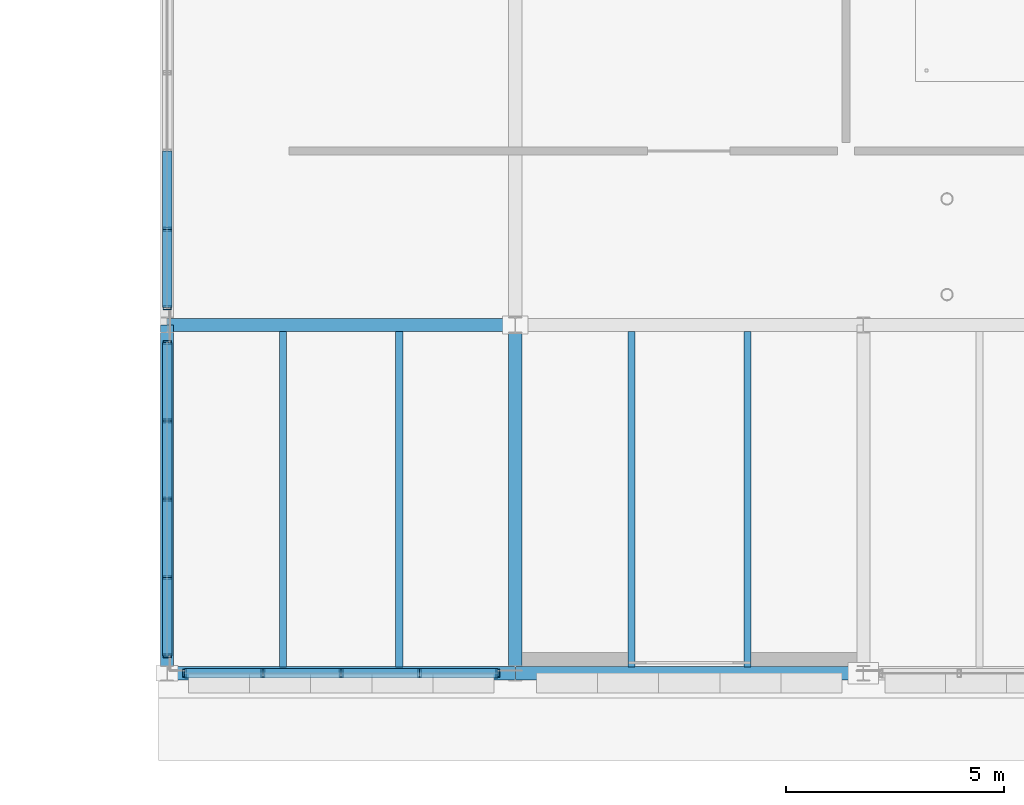
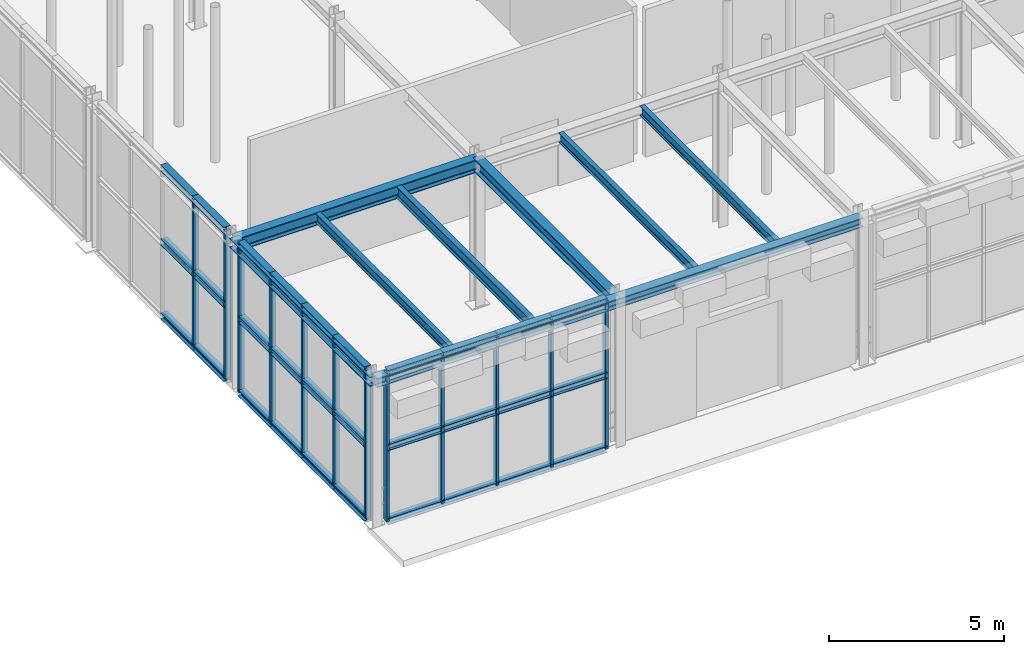
# One storey, part 25 of 129: 42 members, 9 beams, 3 elements without a shape of their own.
"""IFC4 building model written with IfcOpenShell, lengths in metres."""

from ifc_helpers import new_model, si_unit, direction, frame, origin, origin_2d, place, context, subcontext, project, spatial, hollow_rectangle, i_section, extrude, material, material_profile, profile_set, type_object, element, aggregate, save


model = new_model("IFC4")

# Units and contexts
model_context = context("Model", 3, precision=1e-05, world=origin(), true_north=direction((0.0, 1.0)))
body_context = subcontext(model_context, "Body", "Model", "MODEL_VIEW")
ifc_project = project(units=[si_unit("LENGTHUNIT", "METRE"), si_unit("AREAUNIT", "SQUARE_METRE"), si_unit("VOLUMEUNIT", "CUBIC_METRE"), si_unit("PLANEANGLEUNIT", "RADIAN"), si_unit("MASSUNIT", "GRAM", prefix="KILO")], contexts=[model_context])

# Site, building, storey
site_placement = place(None, origin())
site = spatial("IfcSite", under=ifc_project, at=site_placement, CompositionType="ELEMENT")
building_placement = place(site_placement, origin())
building = spatial("IfcBuilding", under=site, at=building_placement, Name="Sundkrona Museum", CompositionType="ELEMENT")
storey_placement = place(building_placement, origin())
storey = spatial("IfcBuildingStorey", under=building, at=storey_placement, Name="L00", CompositionType="ELEMENT", Elevation=0.0)

# Beams
ifc_material_1 = material(Name="Steel S355J2", Category="steel")
ifc_material_profile_1 = material_profile(ifc_material_1, i_section(OverallWidth=0.300048828125, OverallDepth=0.43994140625, WebThickness=0.011474609375, FlangeThickness=0.02099609375, FilletRadius=0.027099609375, at=origin_2d()), Name="HEA 450")
ifc_profile_set_1 = profile_set([ifc_material_profile_1], Name="Steel S355J2")
beam_type_1 = type_object("IfcBeamType", Name="B-HEA450", PredefinedType="BEAM", material=ifc_profile_set_1)
for number, where, z_axis, x_axis, name in (
    (1, (80.0, 8.0, 4.919921875), (1.0, 0.0, 0.0), (0.0, 1.0, 0.0), "L00 Girder X-0434"),
    (2, (88.0, 0.0, 4.919921875), (0.0, 1.0, 0.0), (-1.0, 0.0, 0.0), "L00 Girder Y-0686"),
):
    element("IfcBeam", number, at=place(storey_placement, frame(where, z_axis=z_axis, x_axis=x_axis)), inside=storey, type_object=beam_type_1, Name=name, PredefinedType="BEAM", context=body_context, shape_type="SweptSolid", body=[
        extrude(i_section(OverallWidth=0.300048828125, OverallDepth=0.43994140625, WebThickness=0.011474609375, FlangeThickness=0.02099609375, FilletRadius=0.027099609375, at=origin_2d()), origin(), (0.0, 0.0, 1.0), 8.0),
    ])
ifc_material_profile_2 = material_profile(ifc_material_1, i_section(OverallWidth=0.159912109375, OverallDepth=0.330078125, WebThickness=0.007568359375, FlangeThickness=0.011474609375, FilletRadius=0.01806640625, at=origin_2d()), Name="IPE 330")
ifc_profile_set_2 = profile_set([ifc_material_profile_2], Name="Steel S355J2")
beam_type_2 = type_object("IfcBeamType", Name="J-IPE330", PredefinedType="JOIST", material=ifc_profile_set_2)
for number, where, z_axis, x_axis, name in (
    (3, (82.666748046875, 0.14404296875, 4.97509765625), (0.0, 1.0, 0.0), (-1.0, 0.0, 0.0), "L00 Composite Joist 0389"),
    (4, (90.666748046875, 0.14404296875, 4.97509765625), (0.0, 1.0, 0.0), (-1.0, 0.0, 0.0), "L00 Composite Joist 0411"),
    (5, (93.333251953125, 0.14404296875, 4.97509765625), (0.0, 1.0, 0.0), (-1.0, 0.0, 0.0), "L00 Composite Joist 0412"),
):
    element("IfcBeam", number, at=place(storey_placement, frame(where, z_axis=z_axis, x_axis=x_axis)), inside=storey, type_object=beam_type_2, Name=name, PredefinedType="JOIST", context=body_context, shape_type="SweptSolid", body=[
        extrude(i_section(OverallWidth=0.159912109375, OverallDepth=0.330078125, WebThickness=0.007568359375, FlangeThickness=0.011474609375, FilletRadius=0.01806640625, at=origin_2d()), origin(), (0.0, 0.0, 1.0), 7.7119140625),
    ])
ifc_material_profile_3 = material_profile(ifc_material_1, i_section(OverallWidth=0.179931640625, OverallDepth=0.39990234375, WebThickness=0.008544921875, FlangeThickness=0.013427734375, FilletRadius=0.02099609375, at=origin_2d()), Name="IPE 400")
ifc_profile_set_3 = profile_set([ifc_material_profile_3], Name="Steel S355J2")
beam_type_3 = type_object("IfcBeamType", Name="J-IPE400", PredefinedType="JOIST", material=ifc_profile_set_3)
beam_placement = place(storey_placement, frame((85.333251953125, 0.14404296875, 4.93994140625), z_axis=(0.0, 1.0, 0.0), x_axis=(-1.0, 0.0, 0.0)))
element("IfcBeam", 6, at=beam_placement, inside=storey, type_object=beam_type_3, Name="L00 Composite Joist 0390", PredefinedType="JOIST", context=body_context, shape_type="SweptSolid", body=[
    extrude(i_section(OverallWidth=0.179931640625, OverallDepth=0.39990234375, WebThickness=0.008544921875, FlangeThickness=0.013427734375, FilletRadius=0.02099609375, at=origin_2d()), origin(), (0.0, 0.0, 1.0), 7.7119140625),
])

# Curtain wall, members
ifc_material_2 = material(Name="Unitised Aluminium-Steel and Ceramic-Clad Curtain Walling", Category="steel")
curtain_wall_type = type_object("IfcCurtainWallType", Name="CW-AT-72x50", PredefinedType="NOTDEFINED", material=ifc_material_2)
curtain_wall_1_placement = place(storey_placement, origin())
curtain_wall_1 = element("IfcCurtainWall", 7, at=curtain_wall_1_placement, inside=storey, type_object=curtain_wall_type, Name="L00 Curtain Wall CW-L00-017", PredefinedType="NOTDEFINED")
ifc_material_3 = material(Name="Aluminium EN AW-6060 T66", Category="aluminium")
ifc_material_profile_4 = material_profile(ifc_material_3, hollow_rectangle(XDim=0.090087890625, YDim=0.179931640625, WallThickness=0.00634765625, at=origin_2d()), Name="RHS 180x90x6.3")
ifc_profile_set_4 = profile_set([ifc_material_profile_4], Name="Aluminium EN AW-6060 T66")
member_type_1 = type_object("IfcMemberType", Name="ML-180", PredefinedType="MULLION", material=ifc_profile_set_4)
member_1_placement = place(storey_placement, frame((80.39990234375, 0.0, -0.00390625), z_axis=(0.0, 0.0, 1.0), x_axis=(1.0, 0.0, 0.0)))
member_1 = element("IfcMember", 8, at=member_1_placement, type_object=member_type_1, Name="CW-L00-017 Mullion 01", PredefinedType="MULLION", context=body_context, shape_type="SweptSolid", body=[
    extrude(hollow_rectangle(XDim=0.090087890625, YDim=0.179931640625, WallThickness=0.00634765625, at=origin_2d()), origin(), (0.0, 0.0, 1.0), 5.14794921875),
])
member_2_placement = place(storey_placement, frame((82.199951171875, 0.0, -0.00390625), z_axis=(0.0, 0.0, 1.0), x_axis=(1.0, 0.0, 0.0)))
member_2 = element("IfcMember", 9, at=member_2_placement, type_object=member_type_1, Name="CW-L00-017 Mullion 02", PredefinedType="MULLION", context=body_context, shape_type="SweptSolid", body=[
    extrude(hollow_rectangle(XDim=0.090087890625, YDim=0.179931640625, WallThickness=0.00634765625, at=origin_2d()), origin(), (0.0, 0.0, 1.0), 5.14794921875),
])
member_3_placement = place(storey_placement, frame((84.0, 0.0, -0.00390625), z_axis=(0.0, 0.0, 1.0), x_axis=(1.0, 0.0, 0.0)))
member_3 = element("IfcMember", 10, at=member_3_placement, type_object=member_type_1, Name="CW-L00-017 Mullion 03", PredefinedType="MULLION", context=body_context, shape_type="SweptSolid", body=[
    extrude(hollow_rectangle(XDim=0.090087890625, YDim=0.179931640625, WallThickness=0.00634765625, at=origin_2d()), origin(), (0.0, 0.0, 1.0), 5.14794921875),
])
member_4_placement = place(storey_placement, frame((85.800048828125, 0.0, -0.00390625), z_axis=(0.0, 0.0, 1.0), x_axis=(1.0, 0.0, 0.0)))
member_4 = element("IfcMember", 11, at=member_4_placement, type_object=member_type_1, Name="CW-L00-017 Mullion 04", PredefinedType="MULLION", context=body_context, shape_type="SweptSolid", body=[
    extrude(hollow_rectangle(XDim=0.090087890625, YDim=0.179931640625, WallThickness=0.00634765625, at=origin_2d()), origin(), (0.0, 0.0, 1.0), 5.14794921875),
])
member_5_placement = place(storey_placement, frame((87.60009765625, 0.0, -0.00390625), z_axis=(0.0, 0.0, 1.0), x_axis=(1.0, 0.0, 0.0)))
member_5 = element("IfcMember", 12, at=member_5_placement, type_object=member_type_1, Name="CW-L00-017 Mullion 05", PredefinedType="MULLION", context=body_context, shape_type="SweptSolid", body=[
    extrude(hollow_rectangle(XDim=0.090087890625, YDim=0.179931640625, WallThickness=0.00634765625, at=origin_2d()), origin(), (0.0, 0.0, 1.0), 5.14794921875),
])

curtain_wall_2_placement = place(storey_placement, origin())
curtain_wall_2 = element("IfcCurtainWall", 13, at=curtain_wall_2_placement, inside=storey, type_object=curtain_wall_type, Name="L00 Curtain Wall CW-L00-020", PredefinedType="NOTDEFINED")
member_6_placement = place(storey_placement, frame((80.0, 0.39990234375, -0.00390625), z_axis=(0.0, 0.0, 1.0), x_axis=(0.0, 1.0, 0.0)))
member_6 = element("IfcMember", 14, at=member_6_placement, type_object=member_type_1, Name="CW-L00-020 Mullion 01", PredefinedType="MULLION", context=body_context, shape_type="SweptSolid", body=[
    extrude(hollow_rectangle(XDim=0.090087890625, YDim=0.179931640625, WallThickness=0.00634765625, at=origin_2d()), origin(), (0.0, 0.0, 1.0), 5.14794921875),
])
member_7_placement = place(storey_placement, frame((80.0, 2.199951171875, -0.00390625), z_axis=(0.0, 0.0, 1.0), x_axis=(0.0, 1.0, 0.0)))
member_7 = element("IfcMember", 15, at=member_7_placement, type_object=member_type_1, Name="CW-L00-020 Mullion 02", PredefinedType="MULLION", context=body_context, shape_type="SweptSolid", body=[
    extrude(hollow_rectangle(XDim=0.090087890625, YDim=0.179931640625, WallThickness=0.00634765625, at=origin_2d()), origin(), (0.0, 0.0, 1.0), 5.14794921875),
])
member_8_placement = place(storey_placement, frame((80.0, 4.0, -0.00390625), z_axis=(0.0, 0.0, 1.0), x_axis=(0.0, 1.0, 0.0)))
member_8 = element("IfcMember", 16, at=member_8_placement, type_object=member_type_1, Name="CW-L00-020 Mullion 03", PredefinedType="MULLION", context=body_context, shape_type="SweptSolid", body=[
    extrude(hollow_rectangle(XDim=0.090087890625, YDim=0.179931640625, WallThickness=0.00634765625, at=origin_2d()), origin(), (0.0, 0.0, 1.0), 5.14794921875),
])
member_9_placement = place(storey_placement, frame((80.0, 5.800048828125, -0.00390625), z_axis=(0.0, 0.0, 1.0), x_axis=(0.0, 1.0, 0.0)))
member_9 = element("IfcMember", 17, at=member_9_placement, type_object=member_type_1, Name="CW-L00-020 Mullion 04", PredefinedType="MULLION", context=body_context, shape_type="SweptSolid", body=[
    extrude(hollow_rectangle(XDim=0.090087890625, YDim=0.179931640625, WallThickness=0.00634765625, at=origin_2d()), origin(), (0.0, 0.0, 1.0), 5.14794921875),
])
member_10_placement = place(storey_placement, frame((80.0, 7.60009765625, -0.00390625), z_axis=(0.0, 0.0, 1.0), x_axis=(0.0, 1.0, 0.0)))
member_10 = element("IfcMember", 18, at=member_10_placement, type_object=member_type_1, Name="CW-L00-020 Mullion 05", PredefinedType="MULLION", context=body_context, shape_type="SweptSolid", body=[
    extrude(hollow_rectangle(XDim=0.090087890625, YDim=0.179931640625, WallThickness=0.00634765625, at=origin_2d()), origin(), (0.0, 0.0, 1.0), 5.14794921875),
])

curtain_wall_3_placement = place(storey_placement, origin())
curtain_wall_3 = element("IfcCurtainWall", 19, at=curtain_wall_3_placement, inside=storey, type_object=curtain_wall_type, Name="L00 Curtain Wall CW-L00-021", PredefinedType="NOTDEFINED")
member_11_placement = place(storey_placement, frame((80.0, 8.39990234375, -0.00390625), z_axis=(0.0, 0.0, 1.0), x_axis=(0.0, 1.0, 0.0)))
member_11 = element("IfcMember", 20, at=member_11_placement, type_object=member_type_1, Name="CW-L00-021 Mullion 01", PredefinedType="MULLION", context=body_context, shape_type="SweptSolid", body=[
    extrude(hollow_rectangle(XDim=0.090087890625, YDim=0.179931640625, WallThickness=0.00634765625, at=origin_2d()), origin(), (0.0, 0.0, 1.0), 5.14794921875),
])
member_12_placement = place(storey_placement, frame((80.0, 10.199951171875, -0.00390625), z_axis=(0.0, 0.0, 1.0), x_axis=(0.0, 1.0, 0.0)))
member_12 = element("IfcMember", 21, at=member_12_placement, type_object=member_type_1, Name="CW-L00-021 Mullion 02", PredefinedType="MULLION", context=body_context, shape_type="SweptSolid", body=[
    extrude(hollow_rectangle(XDim=0.090087890625, YDim=0.179931640625, WallThickness=0.00634765625, at=origin_2d()), origin(), (0.0, 0.0, 1.0), 5.14794921875),
])

# Beams
ifc_material_profile_5 = material_profile(ifc_material_1, i_section(OverallWidth=0.300048828125, OverallDepth=0.320068359375, WebThickness=0.011474609375, FlangeThickness=0.0205078125, FilletRadius=0.027099609375, at=origin_2d()), Name="HEB 320")
ifc_profile_set_5 = profile_set([ifc_material_profile_5], Name="Steel S355J2")
beam_type_4 = type_object("IfcBeamType", Name="SP-HEB320", PredefinedType="SPANDREL", material=ifc_profile_set_5)
for number, where, z_axis, x_axis, name in (
    (22, (80.0, 0.0, 4.97998046875), (1.0, 0.0, 0.0), (0.0, 1.0, 0.0), "L00 Girder X-0423"),
    (23, (88.0, 0.0, 4.97998046875), (1.0, 0.0, 0.0), (0.0, 1.0, 0.0), "L00 Girder X-0424"),
    (24, (80.0, 0.0, 4.97998046875), (0.0, 1.0, 0.0), (-1.0, 0.0, 0.0), "L00 Girder Y-0671"),
):
    element("IfcBeam", number, at=place(storey_placement, frame(where, z_axis=z_axis, x_axis=x_axis)), inside=storey, type_object=beam_type_4, Name=name, PredefinedType="SPANDREL", context=body_context, shape_type="SweptSolid", body=[
        extrude(i_section(OverallWidth=0.300048828125, OverallDepth=0.320068359375, WebThickness=0.011474609375, FlangeThickness=0.0205078125, FilletRadius=0.027099609375, at=origin_2d()), origin(), (0.0, 0.0, 1.0), 8.0),
    ])

# Member
ifc_material_profile_6 = material_profile(ifc_material_1, i_section(OverallWidth=0.219970703125, OverallDepth=0.219970703125, WebThickness=0.009521484375, FlangeThickness=0.01611328125, FilletRadius=0.01806640625, at=origin_2d()), Name="HEB 220")
ifc_profile_set_6 = profile_set([ifc_material_profile_6], Name="Steel S355J2")
member_type_2 = type_object("IfcMemberType", Name="TR-HEB220", PredefinedType="USERDEFINED", material=ifc_profile_set_6)
member_13_placement = place(storey_placement, frame((80.39990234375, 0.0, -0.00390625), z_axis=(1.0, 0.0, 0.0), x_axis=(0.0, 1.0, 0.0)))
member_13 = element("IfcMember", 25, at=member_13_placement, type_object=member_type_2, Name="CW-L00-017 Transom 01", ObjectType="TRANSOM", PredefinedType="USERDEFINED", context=body_context, shape_type="SweptSolid", body=[
    extrude(i_section(OverallWidth=0.219970703125, OverallDepth=0.219970703125, WebThickness=0.009521484375, FlangeThickness=0.01611328125, FilletRadius=0.01806640625, at=origin_2d()), origin(), (0.0, 0.0, 1.0), 1.800048828125),
])

member_14_placement = place(storey_placement, frame((80.39990234375, 0.0, 2.570068359375), z_axis=(1.0, 0.0, 0.0), x_axis=(0.0, 1.0, 0.0)))
member_14 = element("IfcMember", 26, at=member_14_placement, type_object=member_type_2, Name="CW-L00-017 Transom 02", ObjectType="TRANSOM", PredefinedType="USERDEFINED", context=body_context, shape_type="SweptSolid", body=[
    extrude(i_section(OverallWidth=0.219970703125, OverallDepth=0.219970703125, WebThickness=0.009521484375, FlangeThickness=0.01611328125, FilletRadius=0.01806640625, at=origin_2d()), origin(), (0.0, 0.0, 1.0), 1.800048828125),
])

member_15_placement = place(storey_placement, frame((80.39990234375, 0.0, 5.14404296875), z_axis=(1.0, 0.0, 0.0), x_axis=(0.0, 1.0, 0.0)))
member_15 = element("IfcMember", 27, at=member_15_placement, type_object=member_type_2, Name="CW-L00-017 Transom 03", ObjectType="TRANSOM", PredefinedType="USERDEFINED", context=body_context, shape_type="SweptSolid", body=[
    extrude(i_section(OverallWidth=0.219970703125, OverallDepth=0.219970703125, WebThickness=0.009521484375, FlangeThickness=0.01611328125, FilletRadius=0.01806640625, at=origin_2d()), origin(), (0.0, 0.0, 1.0), 1.800048828125),
])

member_16_placement = place(storey_placement, frame((82.199951171875, 0.0, -0.00390625), z_axis=(1.0, 0.0, 0.0), x_axis=(0.0, 1.0, 0.0)))
member_16 = element("IfcMember", 28, at=member_16_placement, type_object=member_type_2, Name="CW-L00-017 Transom 04", ObjectType="TRANSOM", PredefinedType="USERDEFINED", context=body_context, shape_type="SweptSolid", body=[
    extrude(i_section(OverallWidth=0.219970703125, OverallDepth=0.219970703125, WebThickness=0.009521484375, FlangeThickness=0.01611328125, FilletRadius=0.01806640625, at=origin_2d()), origin(), (0.0, 0.0, 1.0), 1.800048828125),
])

member_17_placement = place(storey_placement, frame((82.199951171875, 0.0, 2.570068359375), z_axis=(1.0, 0.0, 0.0), x_axis=(0.0, 1.0, 0.0)))
member_17 = element("IfcMember", 29, at=member_17_placement, type_object=member_type_2, Name="CW-L00-017 Transom 05", ObjectType="TRANSOM", PredefinedType="USERDEFINED", context=body_context, shape_type="SweptSolid", body=[
    extrude(i_section(OverallWidth=0.219970703125, OverallDepth=0.219970703125, WebThickness=0.009521484375, FlangeThickness=0.01611328125, FilletRadius=0.01806640625, at=origin_2d()), origin(), (0.0, 0.0, 1.0), 1.800048828125),
])

member_18_placement = place(storey_placement, frame((82.199951171875, 0.0, 5.14404296875), z_axis=(1.0, 0.0, 0.0), x_axis=(0.0, 1.0, 0.0)))
member_18 = element("IfcMember", 30, at=member_18_placement, type_object=member_type_2, Name="CW-L00-017 Transom 06", ObjectType="TRANSOM", PredefinedType="USERDEFINED", context=body_context, shape_type="SweptSolid", body=[
    extrude(i_section(OverallWidth=0.219970703125, OverallDepth=0.219970703125, WebThickness=0.009521484375, FlangeThickness=0.01611328125, FilletRadius=0.01806640625, at=origin_2d()), origin(), (0.0, 0.0, 1.0), 1.800048828125),
])

member_19_placement = place(storey_placement, frame((84.0, 0.0, -0.00390625), z_axis=(1.0, 0.0, 0.0), x_axis=(0.0, 1.0, 0.0)))
member_19 = element("IfcMember", 31, at=member_19_placement, type_object=member_type_2, Name="CW-L00-017 Transom 07", ObjectType="TRANSOM", PredefinedType="USERDEFINED", context=body_context, shape_type="SweptSolid", body=[
    extrude(i_section(OverallWidth=0.219970703125, OverallDepth=0.219970703125, WebThickness=0.009521484375, FlangeThickness=0.01611328125, FilletRadius=0.01806640625, at=origin_2d()), origin(), (0.0, 0.0, 1.0), 1.800048828125),
])

member_20_placement = place(storey_placement, frame((84.0, 0.0, 2.570068359375), z_axis=(1.0, 0.0, 0.0), x_axis=(0.0, 1.0, 0.0)))
member_20 = element("IfcMember", 32, at=member_20_placement, type_object=member_type_2, Name="CW-L00-017 Transom 08", ObjectType="TRANSOM", PredefinedType="USERDEFINED", context=body_context, shape_type="SweptSolid", body=[
    extrude(i_section(OverallWidth=0.219970703125, OverallDepth=0.219970703125, WebThickness=0.009521484375, FlangeThickness=0.01611328125, FilletRadius=0.01806640625, at=origin_2d()), origin(), (0.0, 0.0, 1.0), 1.800048828125),
])

member_21_placement = place(storey_placement, frame((84.0, 0.0, 5.14404296875), z_axis=(1.0, 0.0, 0.0), x_axis=(0.0, 1.0, 0.0)))
member_21 = element("IfcMember", 33, at=member_21_placement, type_object=member_type_2, Name="CW-L00-017 Transom 09", ObjectType="TRANSOM", PredefinedType="USERDEFINED", context=body_context, shape_type="SweptSolid", body=[
    extrude(i_section(OverallWidth=0.219970703125, OverallDepth=0.219970703125, WebThickness=0.009521484375, FlangeThickness=0.01611328125, FilletRadius=0.01806640625, at=origin_2d()), origin(), (0.0, 0.0, 1.0), 1.800048828125),
])

member_22_placement = place(storey_placement, frame((85.800048828125, 0.0, -0.00390625), z_axis=(1.0, 0.0, 0.0), x_axis=(0.0, 1.0, 0.0)))
member_22 = element("IfcMember", 34, at=member_22_placement, type_object=member_type_2, Name="CW-L00-017 Transom 10", ObjectType="TRANSOM", PredefinedType="USERDEFINED", context=body_context, shape_type="SweptSolid", body=[
    extrude(i_section(OverallWidth=0.219970703125, OverallDepth=0.219970703125, WebThickness=0.009521484375, FlangeThickness=0.01611328125, FilletRadius=0.01806640625, at=origin_2d()), origin(), (0.0, 0.0, 1.0), 1.800048828125),
])

member_23_placement = place(storey_placement, frame((85.800048828125, 0.0, 2.570068359375), z_axis=(1.0, 0.0, 0.0), x_axis=(0.0, 1.0, 0.0)))
member_23 = element("IfcMember", 35, at=member_23_placement, type_object=member_type_2, Name="CW-L00-017 Transom 11", ObjectType="TRANSOM", PredefinedType="USERDEFINED", context=body_context, shape_type="SweptSolid", body=[
    extrude(i_section(OverallWidth=0.219970703125, OverallDepth=0.219970703125, WebThickness=0.009521484375, FlangeThickness=0.01611328125, FilletRadius=0.01806640625, at=origin_2d()), origin(), (0.0, 0.0, 1.0), 1.800048828125),
])

member_24_placement = place(storey_placement, frame((85.800048828125, 0.0, 5.14404296875), z_axis=(1.0, 0.0, 0.0), x_axis=(0.0, 1.0, 0.0)))
member_24 = element("IfcMember", 36, at=member_24_placement, type_object=member_type_2, Name="CW-L00-017 Transom 12", ObjectType="TRANSOM", PredefinedType="USERDEFINED", context=body_context, shape_type="SweptSolid", body=[
    extrude(i_section(OverallWidth=0.219970703125, OverallDepth=0.219970703125, WebThickness=0.009521484375, FlangeThickness=0.01611328125, FilletRadius=0.01806640625, at=origin_2d()), origin(), (0.0, 0.0, 1.0), 1.800048828125),
])

aggregate(curtain_wall_1, [member_1, member_2, member_3, member_4, member_5, member_13, member_14, member_15, member_16, member_17, member_18, member_19, member_20, member_21, member_22, member_23, member_24])

member_25_placement = place(storey_placement, frame((80.0, 0.39990234375, -0.00390625), z_axis=(0.0, 1.0, 0.0), x_axis=(-1.0, 0.0, 0.0)))
member_25 = element("IfcMember", 37, at=member_25_placement, type_object=member_type_2, Name="CW-L00-020 Transom 01", ObjectType="TRANSOM", PredefinedType="USERDEFINED", context=body_context, shape_type="SweptSolid", body=[
    extrude(i_section(OverallWidth=0.219970703125, OverallDepth=0.219970703125, WebThickness=0.009521484375, FlangeThickness=0.01611328125, FilletRadius=0.01806640625, at=origin_2d()), origin(), (0.0, 0.0, 1.0), 1.800048828125),
])

member_26_placement = place(storey_placement, frame((80.0, 0.39990234375, 2.570068359375), z_axis=(0.0, 1.0, 0.0), x_axis=(-1.0, 0.0, 0.0)))
member_26 = element("IfcMember", 38, at=member_26_placement, type_object=member_type_2, Name="CW-L00-020 Transom 02", ObjectType="TRANSOM", PredefinedType="USERDEFINED", context=body_context, shape_type="SweptSolid", body=[
    extrude(i_section(OverallWidth=0.219970703125, OverallDepth=0.219970703125, WebThickness=0.009521484375, FlangeThickness=0.01611328125, FilletRadius=0.01806640625, at=origin_2d()), origin(), (0.0, 0.0, 1.0), 1.800048828125),
])

member_27_placement = place(storey_placement, frame((80.0, 0.39990234375, 5.14404296875), z_axis=(0.0, 1.0, 0.0), x_axis=(-1.0, 0.0, 0.0)))
member_27 = element("IfcMember", 39, at=member_27_placement, type_object=member_type_2, Name="CW-L00-020 Transom 03", ObjectType="TRANSOM", PredefinedType="USERDEFINED", context=body_context, shape_type="SweptSolid", body=[
    extrude(i_section(OverallWidth=0.219970703125, OverallDepth=0.219970703125, WebThickness=0.009521484375, FlangeThickness=0.01611328125, FilletRadius=0.01806640625, at=origin_2d()), origin(), (0.0, 0.0, 1.0), 1.800048828125),
])

member_28_placement = place(storey_placement, frame((80.0, 2.199951171875, -0.00390625), z_axis=(0.0, 1.0, 0.0), x_axis=(-1.0, 0.0, 0.0)))
member_28 = element("IfcMember", 40, at=member_28_placement, type_object=member_type_2, Name="CW-L00-020 Transom 04", ObjectType="TRANSOM", PredefinedType="USERDEFINED", context=body_context, shape_type="SweptSolid", body=[
    extrude(i_section(OverallWidth=0.219970703125, OverallDepth=0.219970703125, WebThickness=0.009521484375, FlangeThickness=0.01611328125, FilletRadius=0.01806640625, at=origin_2d()), origin(), (0.0, 0.0, 1.0), 1.800048828125),
])

member_29_placement = place(storey_placement, frame((80.0, 2.199951171875, 2.570068359375), z_axis=(0.0, 1.0, 0.0), x_axis=(-1.0, 0.0, 0.0)))
member_29 = element("IfcMember", 41, at=member_29_placement, type_object=member_type_2, Name="CW-L00-020 Transom 05", ObjectType="TRANSOM", PredefinedType="USERDEFINED", context=body_context, shape_type="SweptSolid", body=[
    extrude(i_section(OverallWidth=0.219970703125, OverallDepth=0.219970703125, WebThickness=0.009521484375, FlangeThickness=0.01611328125, FilletRadius=0.01806640625, at=origin_2d()), origin(), (0.0, 0.0, 1.0), 1.800048828125),
])

member_30_placement = place(storey_placement, frame((80.0, 2.199951171875, 5.14404296875), z_axis=(0.0, 1.0, 0.0), x_axis=(-1.0, 0.0, 0.0)))
member_30 = element("IfcMember", 42, at=member_30_placement, type_object=member_type_2, Name="CW-L00-020 Transom 06", ObjectType="TRANSOM", PredefinedType="USERDEFINED", context=body_context, shape_type="SweptSolid", body=[
    extrude(i_section(OverallWidth=0.219970703125, OverallDepth=0.219970703125, WebThickness=0.009521484375, FlangeThickness=0.01611328125, FilletRadius=0.01806640625, at=origin_2d()), origin(), (0.0, 0.0, 1.0), 1.800048828125),
])

member_31_placement = place(storey_placement, frame((80.0, 4.0, -0.00390625), z_axis=(0.0, 1.0, 0.0), x_axis=(-1.0, 0.0, 0.0)))
member_31 = element("IfcMember", 43, at=member_31_placement, type_object=member_type_2, Name="CW-L00-020 Transom 07", ObjectType="TRANSOM", PredefinedType="USERDEFINED", context=body_context, shape_type="SweptSolid", body=[
    extrude(i_section(OverallWidth=0.219970703125, OverallDepth=0.219970703125, WebThickness=0.009521484375, FlangeThickness=0.01611328125, FilletRadius=0.01806640625, at=origin_2d()), origin(), (0.0, 0.0, 1.0), 1.800048828125),
])

member_32_placement = place(storey_placement, frame((80.0, 4.0, 2.570068359375), z_axis=(0.0, 1.0, 0.0), x_axis=(-1.0, 0.0, 0.0)))
member_32 = element("IfcMember", 44, at=member_32_placement, type_object=member_type_2, Name="CW-L00-020 Transom 08", ObjectType="TRANSOM", PredefinedType="USERDEFINED", context=body_context, shape_type="SweptSolid", body=[
    extrude(i_section(OverallWidth=0.219970703125, OverallDepth=0.219970703125, WebThickness=0.009521484375, FlangeThickness=0.01611328125, FilletRadius=0.01806640625, at=origin_2d()), origin(), (0.0, 0.0, 1.0), 1.800048828125),
])

member_33_placement = place(storey_placement, frame((80.0, 4.0, 5.14404296875), z_axis=(0.0, 1.0, 0.0), x_axis=(-1.0, 0.0, 0.0)))
member_33 = element("IfcMember", 45, at=member_33_placement, type_object=member_type_2, Name="CW-L00-020 Transom 09", ObjectType="TRANSOM", PredefinedType="USERDEFINED", context=body_context, shape_type="SweptSolid", body=[
    extrude(i_section(OverallWidth=0.219970703125, OverallDepth=0.219970703125, WebThickness=0.009521484375, FlangeThickness=0.01611328125, FilletRadius=0.01806640625, at=origin_2d()), origin(), (0.0, 0.0, 1.0), 1.800048828125),
])

member_34_placement = place(storey_placement, frame((80.0, 5.800048828125, -0.00390625), z_axis=(0.0, 1.0, 0.0), x_axis=(-1.0, 0.0, 0.0)))
member_34 = element("IfcMember", 46, at=member_34_placement, type_object=member_type_2, Name="CW-L00-020 Transom 10", ObjectType="TRANSOM", PredefinedType="USERDEFINED", context=body_context, shape_type="SweptSolid", body=[
    extrude(i_section(OverallWidth=0.219970703125, OverallDepth=0.219970703125, WebThickness=0.009521484375, FlangeThickness=0.01611328125, FilletRadius=0.01806640625, at=origin_2d()), origin(), (0.0, 0.0, 1.0), 1.800048828125),
])

member_35_placement = place(storey_placement, frame((80.0, 5.800048828125, 2.570068359375), z_axis=(0.0, 1.0, 0.0), x_axis=(-1.0, 0.0, 0.0)))
member_35 = element("IfcMember", 47, at=member_35_placement, type_object=member_type_2, Name="CW-L00-020 Transom 11", ObjectType="TRANSOM", PredefinedType="USERDEFINED", context=body_context, shape_type="SweptSolid", body=[
    extrude(i_section(OverallWidth=0.219970703125, OverallDepth=0.219970703125, WebThickness=0.009521484375, FlangeThickness=0.01611328125, FilletRadius=0.01806640625, at=origin_2d()), origin(), (0.0, 0.0, 1.0), 1.800048828125),
])

member_36_placement = place(storey_placement, frame((80.0, 5.800048828125, 5.14404296875), z_axis=(0.0, 1.0, 0.0), x_axis=(-1.0, 0.0, 0.0)))
member_36 = element("IfcMember", 48, at=member_36_placement, type_object=member_type_2, Name="CW-L00-020 Transom 12", ObjectType="TRANSOM", PredefinedType="USERDEFINED", context=body_context, shape_type="SweptSolid", body=[
    extrude(i_section(OverallWidth=0.219970703125, OverallDepth=0.219970703125, WebThickness=0.009521484375, FlangeThickness=0.01611328125, FilletRadius=0.01806640625, at=origin_2d()), origin(), (0.0, 0.0, 1.0), 1.800048828125),
])

aggregate(curtain_wall_2, [member_6, member_7, member_8, member_9, member_10, member_25, member_26, member_27, member_28, member_29, member_30, member_31, member_32, member_33, member_34, member_35, member_36])

member_37_placement = place(storey_placement, frame((80.0, 8.39990234375, -0.00390625), z_axis=(0.0, 1.0, 0.0), x_axis=(-1.0, 0.0, 0.0)))
member_37 = element("IfcMember", 49, at=member_37_placement, type_object=member_type_2, Name="CW-L00-021 Transom 01", ObjectType="TRANSOM", PredefinedType="USERDEFINED", context=body_context, shape_type="SweptSolid", body=[
    extrude(i_section(OverallWidth=0.219970703125, OverallDepth=0.219970703125, WebThickness=0.009521484375, FlangeThickness=0.01611328125, FilletRadius=0.01806640625, at=origin_2d()), origin(), (0.0, 0.0, 1.0), 1.800048828125),
])

member_38_placement = place(storey_placement, frame((80.0, 8.39990234375, 2.570068359375), z_axis=(0.0, 1.0, 0.0), x_axis=(-1.0, 0.0, 0.0)))
member_38 = element("IfcMember", 50, at=member_38_placement, type_object=member_type_2, Name="CW-L00-021 Transom 02", ObjectType="TRANSOM", PredefinedType="USERDEFINED", context=body_context, shape_type="SweptSolid", body=[
    extrude(i_section(OverallWidth=0.219970703125, OverallDepth=0.219970703125, WebThickness=0.009521484375, FlangeThickness=0.01611328125, FilletRadius=0.01806640625, at=origin_2d()), origin(), (0.0, 0.0, 1.0), 1.800048828125),
])

member_39_placement = place(storey_placement, frame((80.0, 8.39990234375, 5.14404296875), z_axis=(0.0, 1.0, 0.0), x_axis=(-1.0, 0.0, 0.0)))
member_39 = element("IfcMember", 51, at=member_39_placement, type_object=member_type_2, Name="CW-L00-021 Transom 03", ObjectType="TRANSOM", PredefinedType="USERDEFINED", context=body_context, shape_type="SweptSolid", body=[
    extrude(i_section(OverallWidth=0.219970703125, OverallDepth=0.219970703125, WebThickness=0.009521484375, FlangeThickness=0.01611328125, FilletRadius=0.01806640625, at=origin_2d()), origin(), (0.0, 0.0, 1.0), 1.800048828125),
])

member_40_placement = place(storey_placement, frame((80.0, 10.199951171875, -0.00390625), z_axis=(0.0, 1.0, 0.0), x_axis=(-1.0, 0.0, 0.0)))
member_40 = element("IfcMember", 52, at=member_40_placement, type_object=member_type_2, Name="CW-L00-021 Transom 04", ObjectType="TRANSOM", PredefinedType="USERDEFINED", context=body_context, shape_type="SweptSolid", body=[
    extrude(i_section(OverallWidth=0.219970703125, OverallDepth=0.219970703125, WebThickness=0.009521484375, FlangeThickness=0.01611328125, FilletRadius=0.01806640625, at=origin_2d()), origin(), (0.0, 0.0, 1.0), 1.800048828125),
])

member_41_placement = place(storey_placement, frame((80.0, 10.199951171875, 2.570068359375), z_axis=(0.0, 1.0, 0.0), x_axis=(-1.0, 0.0, 0.0)))
member_41 = element("IfcMember", 53, at=member_41_placement, type_object=member_type_2, Name="CW-L00-021 Transom 05", ObjectType="TRANSOM", PredefinedType="USERDEFINED", context=body_context, shape_type="SweptSolid", body=[
    extrude(i_section(OverallWidth=0.219970703125, OverallDepth=0.219970703125, WebThickness=0.009521484375, FlangeThickness=0.01611328125, FilletRadius=0.01806640625, at=origin_2d()), origin(), (0.0, 0.0, 1.0), 1.800048828125),
])

member_42_placement = place(storey_placement, frame((80.0, 10.199951171875, 5.14404296875), z_axis=(0.0, 1.0, 0.0), x_axis=(-1.0, 0.0, 0.0)))
member_42 = element("IfcMember", 54, at=member_42_placement, type_object=member_type_2, Name="CW-L00-021 Transom 06", ObjectType="TRANSOM", PredefinedType="USERDEFINED", context=body_context, shape_type="SweptSolid", body=[
    extrude(i_section(OverallWidth=0.219970703125, OverallDepth=0.219970703125, WebThickness=0.009521484375, FlangeThickness=0.01611328125, FilletRadius=0.01806640625, at=origin_2d()), origin(), (0.0, 0.0, 1.0), 1.800048828125),
])

aggregate(curtain_wall_3, [member_11, member_12, member_37, member_38, member_39, member_40, member_41, member_42])

save(model, "model.ifc")
